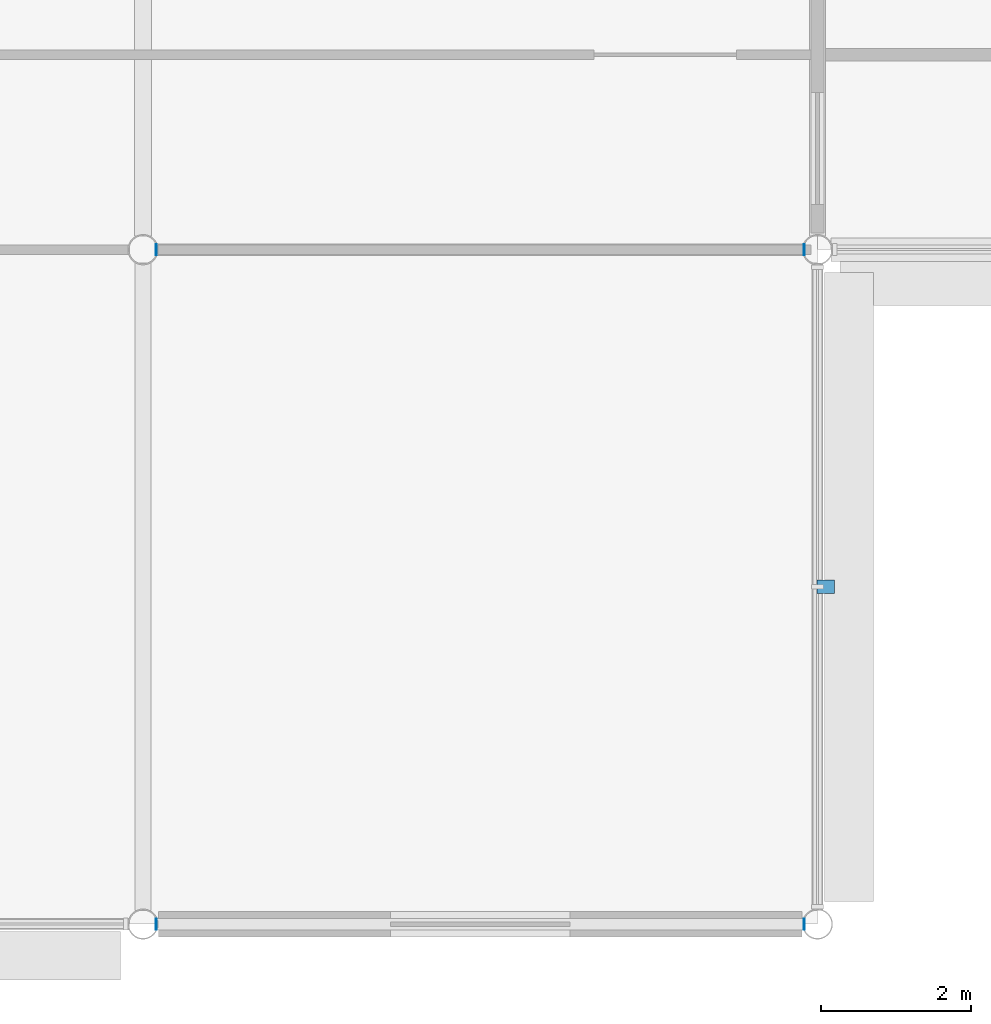
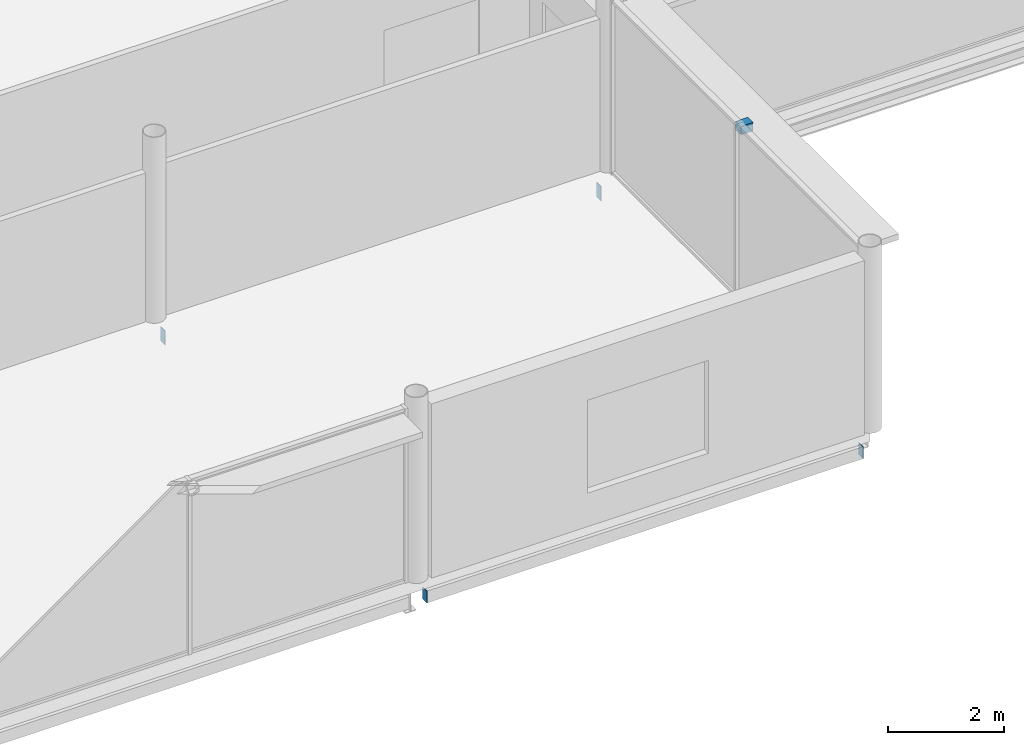
# One storey, part 66 of 96: 5 discrete accessories.
"""IFC4 building model written with IfcOpenShell, lengths in metres."""

from ifc_helpers import new_model, si_unit, direction, frame, origin, origin_2d, place, context, subcontext, project, spatial, polyline, rectangle, outline, extrude, material, layer, layer_set, type_object, element, save


model = new_model("IFC4")

# Units and contexts
model_context = context("Model", 3, precision=1e-05, world=origin(), true_north=direction((0.0, 1.0)))
body_context = subcontext(model_context, "Body", "Model", "MODEL_VIEW")
ifc_project = project(units=[si_unit("LENGTHUNIT", "METRE"), si_unit("AREAUNIT", "SQUARE_METRE"), si_unit("VOLUMEUNIT", "CUBIC_METRE"), si_unit("PLANEANGLEUNIT", "RADIAN"), si_unit("MASSUNIT", "GRAM", prefix="KILO")], contexts=[model_context])

# Site, building, storey
site_placement = place(None, origin())
site = spatial("IfcSite", under=ifc_project, at=site_placement, CompositionType="ELEMENT")
building_placement = place(site_placement, origin())
building = spatial("IfcBuilding", under=site, at=building_placement, Name="Kisiwana Market Hall", CompositionType="ELEMENT")
storey_placement = place(building_placement, frame((0.0, 0.0, 25.5)))
storey = spatial("IfcBuildingStorey", under=building, at=storey_placement, Name="L05", CompositionType="ELEMENT", Elevation=25.5)

# Discrete accessories
ifc_material_1 = material(Name="Steel S355", Category="steel")
discrete_accessory_type_1 = type_object("IfcDiscreteAccessoryType", Name="ACC-BRACKET-STL", PredefinedType="BRACKET", material=ifc_material_1)
discrete_accessory_1_placement = place(storey_placement, frame((45.110107421875, 13.5, 3.44482421875), z_axis=(0.0, 0.0, 1.0), x_axis=(0.0, 1.0, 0.0)))
element("IfcDiscreteAccessory", 1, at=discrete_accessory_1_placement, inside=storey, type_object=discrete_accessory_type_1, Name="Sunshade steel bracket BRK-092", PredefinedType="BRACKET", context=body_context, shape_type="SweptSolid", body=[
    extrude(rectangle(XDim=0.179931640625, YDim=0.239990234375, at=origin_2d()), origin(), (0.0, 0.0, 1.0), 0.179931640625),
])
ifc_material_2 = material(Name="Steel S355", Category="steel")
ifc_layer = layer(ifc_material_2, 0.011962890625)
ifc_layer_set = layer_set([ifc_layer], Name="ACC-ENDCAP-STL")
discrete_accessory_type_2 = type_object("IfcDiscreteAccessoryType", Name="ACC-ENDCAP-STL", PredefinedType="USERDEFINED", material=ifc_layer_set)
discrete_accessory_2_placement = place(storey_placement, frame((0.0, 0.0, -0.56494140625)))
element("IfcDiscreteAccessory", 2, at=discrete_accessory_2_placement, inside=storey, type_object=discrete_accessory_type_2, Name="End cap plate EC-0068", ObjectType="End cap plate", PredefinedType="USERDEFINED", context=body_context, shape_type="SweptSolid", body=[
    extrude(outline(polyline([(44.817626953125, 8.925048828125), (44.82958984375, 8.925048828125), (44.82958984375, 9.074951171875), (44.817626953125, 9.074951171875), (44.817626953125, 8.925048828125)])), origin(), (0.0, 0.0, 1.0), 0.25),
])
discrete_accessory_3_placement = place(storey_placement, frame((0.0, 0.0, -0.56494140625)))
element("IfcDiscreteAccessory", 3, at=discrete_accessory_3_placement, inside=storey, type_object=discrete_accessory_type_2, Name="End cap plate EC-0069", ObjectType="End cap plate", PredefinedType="USERDEFINED", context=body_context, shape_type="SweptSolid", body=[
    extrude(outline(polyline([(36.182373046875, 8.925048828125), (36.182373046875, 9.074951171875), (36.17041015625, 9.074951171875), (36.17041015625, 8.925048828125), (36.182373046875, 8.925048828125)])), origin(), (0.0, 0.0, 1.0), 0.25),
])
discrete_accessory_4_placement = place(storey_placement, frame((0.0, 0.0, -0.614990234375)))
element("IfcDiscreteAccessory", 4, at=discrete_accessory_4_placement, inside=storey, type_object=discrete_accessory_type_2, Name="End cap plate EC-0074", ObjectType="End cap plate", PredefinedType="USERDEFINED", context=body_context, shape_type="SweptSolid", body=[
    extrude(outline(polyline([(44.817626953125, 17.925048828125), (44.82958984375, 17.925048828125), (44.82958984375, 18.074951171875), (44.817626953125, 18.074951171875), (44.817626953125, 17.925048828125)])), origin(), (0.0, 0.0, 1.0), 0.300048828125),
])
discrete_accessory_5_placement = place(storey_placement, frame((0.0, 0.0, -0.614990234375)))
element("IfcDiscreteAccessory", 5, at=discrete_accessory_5_placement, inside=storey, type_object=discrete_accessory_type_2, Name="End cap plate EC-0075", ObjectType="End cap plate", PredefinedType="USERDEFINED", context=body_context, shape_type="SweptSolid", body=[
    extrude(outline(polyline([(36.182373046875, 17.925048828125), (36.182373046875, 18.074951171875), (36.17041015625, 18.074951171875), (36.17041015625, 17.925048828125), (36.182373046875, 17.925048828125)])), origin(), (0.0, 0.0, 1.0), 0.300048828125),
])

save(model, "model.ifc")
